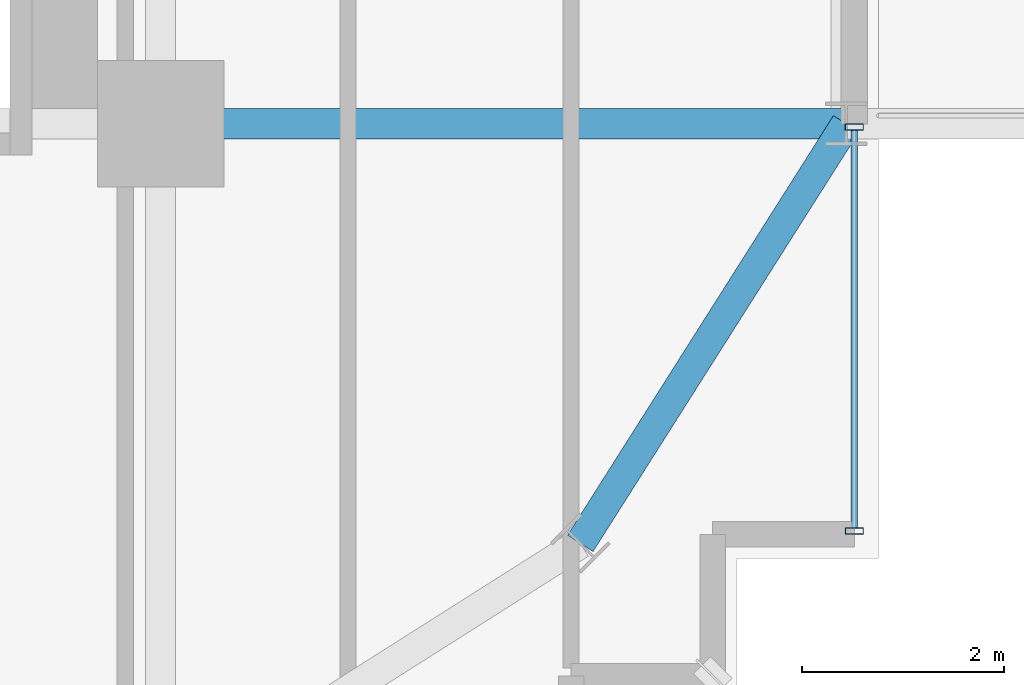
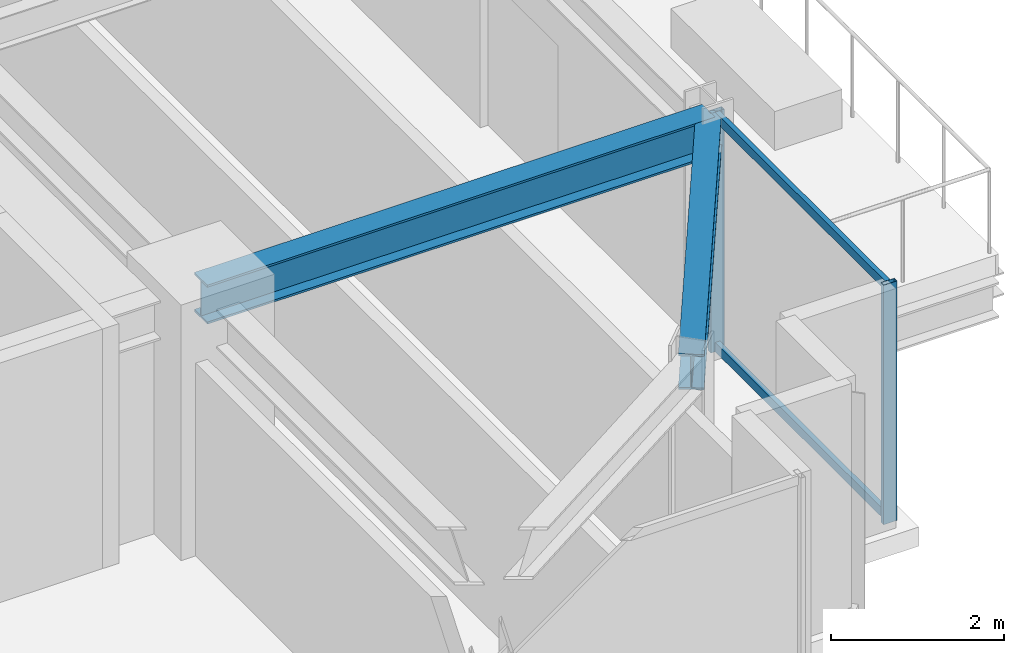
# One storey, part 11 of 41: 4 members, 2 beams, 1 element without a shape of its own.
"""IFC4 building model written with IfcOpenShell, lengths in metres."""

from ifc_helpers import new_model, si_unit, direction, frame, origin, origin_2d, place, context, subcontext, project, spatial, hollow_rectangle, i_section, extrude, source, transform, mapped, material, material_profile, profile_set, type_object, element, aggregate, save


model = new_model("IFC4")

# Units and contexts
model_context = context("Model", 3, precision=1e-05, world=origin(), true_north=direction((0.0, 1.0)))
body_context = subcontext(model_context, "Body", "Model", "MODEL_VIEW")
ifc_project = project(units=[si_unit("LENGTHUNIT", "METRE"), si_unit("AREAUNIT", "SQUARE_METRE"), si_unit("VOLUMEUNIT", "CUBIC_METRE"), si_unit("PLANEANGLEUNIT", "RADIAN"), si_unit("MASSUNIT", "GRAM", prefix="KILO")], contexts=[model_context])

# Site, building, storey
site_placement = place(None, origin())
site = spatial("IfcSite", under=ifc_project, at=site_placement, CompositionType="ELEMENT")
building_placement = place(site_placement, origin())
building = spatial("IfcBuilding", under=site, at=building_placement, Name="Nahalor Promenade Grand Hotel", CompositionType="ELEMENT")
storey_placement = place(building_placement, frame((0.0, 0.0, 113.85009765625)))
storey = spatial("IfcBuildingStorey", under=building, at=storey_placement, Name="L28", CompositionType="ELEMENT", Elevation=113.85009765625)

# Beams
ifc_material_1 = material(Name="Steel S355JR", Category="steel")
ifc_material_profile_1 = material_profile(ifc_material_1, i_section(OverallWidth=0.3, OverallDepth=0.5, WebThickness=0.0145, FlangeThickness=0.028, at=origin_2d()), Name="HEB 500")
ifc_profile_set_1 = profile_set([ifc_material_profile_1], Name="Steel S355JR")
beam_type_1 = type_object("IfcBeamType", Name="Beam-Spandrel-HEB500", PredefinedType="SPANDREL", material=ifc_profile_set_1)
shared_shape_1 = source(origin(), body_context, "Body", "SweptSolid", [
    extrude(i_section(OverallWidth=0.3, OverallDepth=0.5, WebThickness=0.0145, FlangeThickness=0.028, at=origin_2d()), origin(), (0.0, 0.0, 1.0), 4.9130859375),
])
beam_1_placement = place(storey_placement, frame((21.14990234375, -21.14990234375, 3.1298828125), z_axis=(0.535321591403, 0.844648325505, 0.0), x_axis=(-0.844648325505, 0.535321591403, 0.0)))
element("IfcBeam", 1, at=beam_1_placement, inside=storey, type_object=beam_type_1, Name="BM-L28-SPC-SE-2", PredefinedType="SPANDREL", context=body_context, shape_type="MappedRepresentation", body=[
    mapped(shared_shape_1, transform((0.0, 0.0, 0.0), scale=1.0)),
])
ifc_material_profile_2 = material_profile(ifc_material_1, i_section(OverallWidth=0.3, OverallDepth=0.55, WebThickness=0.015, FlangeThickness=0.029, at=origin_2d()), Name="HEB 550")
ifc_profile_set_2 = profile_set([ifc_material_profile_2], Name="Steel S355JR")
beam_type_2 = type_object("IfcBeamType", Name="Beam-Girder-HEB550", PredefinedType="BEAM", material=ifc_profile_set_2)
shared_shape_2 = source(origin(), body_context, "Body", "SweptSolid", [
    extrude(i_section(OverallWidth=0.3, OverallDepth=0.55, WebThickness=0.015, FlangeThickness=0.029, at=origin_2d()), origin(), (0.0, 0.0, 1.0), 6.780029296875),
])
beam_2_placement = place(storey_placement, frame((17.0, -17.0, 3.10498046875), z_axis=(1.0, 0.0, 0.0), x_axis=(0.0, 1.0, 0.0)))
element("IfcBeam", 2, at=beam_2_placement, inside=storey, type_object=beam_type_2, Name="BM-L28-GX-0-6", PredefinedType="BEAM", context=body_context, shape_type="MappedRepresentation", body=[
    mapped(shared_shape_2, transform((0.0, 0.0, 0.0), scale=1.0)),
])

# Curtain wall, members
ifc_material_2 = material(Name="Anodised Bronze Aluminium EN AW-6063 T6", Category="aluminium")
curtain_wall_type = type_object("IfcCurtainWallType", Name="CW2 Typical Hotel Flush Bronze Unitised Curtain Wall", PredefinedType="USERDEFINED", material=ifc_material_2)
curtain_wall_placement = place(storey_placement, origin())
curtain_wall = element("IfcCurtainWall", 3, at=curtain_wall_placement, inside=storey, type_object=curtain_wall_type, Name="L28 Curtain Wall CW-L28-E-1", ObjectType="UNITISED_CURTAIN_WALL", PredefinedType="USERDEFINED")
ifc_material_profile_3 = material_profile(ifc_material_2, hollow_rectangle(XDim=0.065, YDim=0.18, WallThickness=0.004, at=origin_2d()), Name="CWM 65x180x4")
ifc_profile_set_3 = profile_set([ifc_material_profile_3], Name="Anodised Bronze Aluminium EN AW-6063 T6")
member_type_1 = type_object("IfcMemberType", Name="CWM2 Typical Bronze Mullion 65x180", PredefinedType="MULLION", material=ifc_profile_set_3)
shared_shape_3 = source(origin(), body_context, "Body", "SweptSolid", [
    extrude(hollow_rectangle(XDim=0.065, YDim=0.18, WallThickness=0.004, at=origin_2d()), origin(), (0.0, 0.0, 1.0), 3.3798828125),
])
member_1_placement = place(storey_placement, frame((23.860107421875, -21.027587890625, 0.0), z_axis=(0.0, 0.0, 1.0), x_axis=(0.0, 1.0, 0.0)))
member_1 = element("IfcMember", 4, at=member_1_placement, type_object=member_type_1, Name="CW-L28-E-1 Mullion 0", PredefinedType="MULLION", context=body_context, shape_type="MappedRepresentation", body=[
    mapped(shared_shape_3, transform((0.0, 0.0, 0.0), scale=1.0)),
])
member_2_placement = place(storey_placement, frame((23.860107421875, -17.032470703125, 0.0), z_axis=(0.0, 0.0, 1.0), x_axis=(0.0, 1.0, 0.0)))
member_2 = element("IfcMember", 5, at=member_2_placement, type_object=member_type_1, Name="CW-L28-E-1 Mullion 1", PredefinedType="MULLION", context=body_context, shape_type="MappedRepresentation", body=[
    mapped(shared_shape_3, transform((0.0, 0.0, 0.0), scale=1.0)),
])
ifc_material_profile_4 = material_profile(ifc_material_2, hollow_rectangle(XDim=0.065, YDim=0.13, WallThickness=0.004, at=origin_2d()), Name="CWT 65x130x4")
ifc_profile_set_4 = profile_set([ifc_material_profile_4], Name="Anodised Bronze Aluminium EN AW-6063 T6")
member_type_2 = type_object("IfcMemberType", Name="CWT2 Typical Bronze Transom 65x130", PredefinedType="USERDEFINED", material=ifc_profile_set_4)
shared_shape_4 = source(origin(), body_context, "Body", "SweptSolid", [
    extrude(hollow_rectangle(XDim=0.065, YDim=0.13, WallThickness=0.004, at=origin_2d()), origin(), (0.0, 0.0, 1.0), 3.93017578125),
])
member_3_placement = place(storey_placement, frame((23.860107421875, -20.9951171875, 0.06494140625), z_axis=(0.0, 1.0, 0.0), x_axis=(-1.0, 0.0, 0.0)))
member_3 = element("IfcMember", 6, at=member_3_placement, type_object=member_type_2, Name="CW-L28-E-1 Transom 0-0", ObjectType="TRANSOM", PredefinedType="USERDEFINED", context=body_context, shape_type="MappedRepresentation", body=[
    mapped(shared_shape_4, transform((0.0, 0.0, 0.0), scale=1.0)),
])
member_4_placement = place(storey_placement, frame((23.860107421875, -20.9951171875, 3.31494140625), z_axis=(0.0, 1.0, 0.0), x_axis=(-1.0, 0.0, 0.0)))
member_4 = element("IfcMember", 7, at=member_4_placement, type_object=member_type_2, Name="CW-L28-E-1 Transom 0-1", ObjectType="TRANSOM", PredefinedType="USERDEFINED", context=body_context, shape_type="MappedRepresentation", body=[
    mapped(shared_shape_4, transform((0.0, 0.0, 0.0), scale=1.0)),
])
aggregate(curtain_wall, [member_1, member_2, member_3, member_4])

save(model, "model.ifc")
